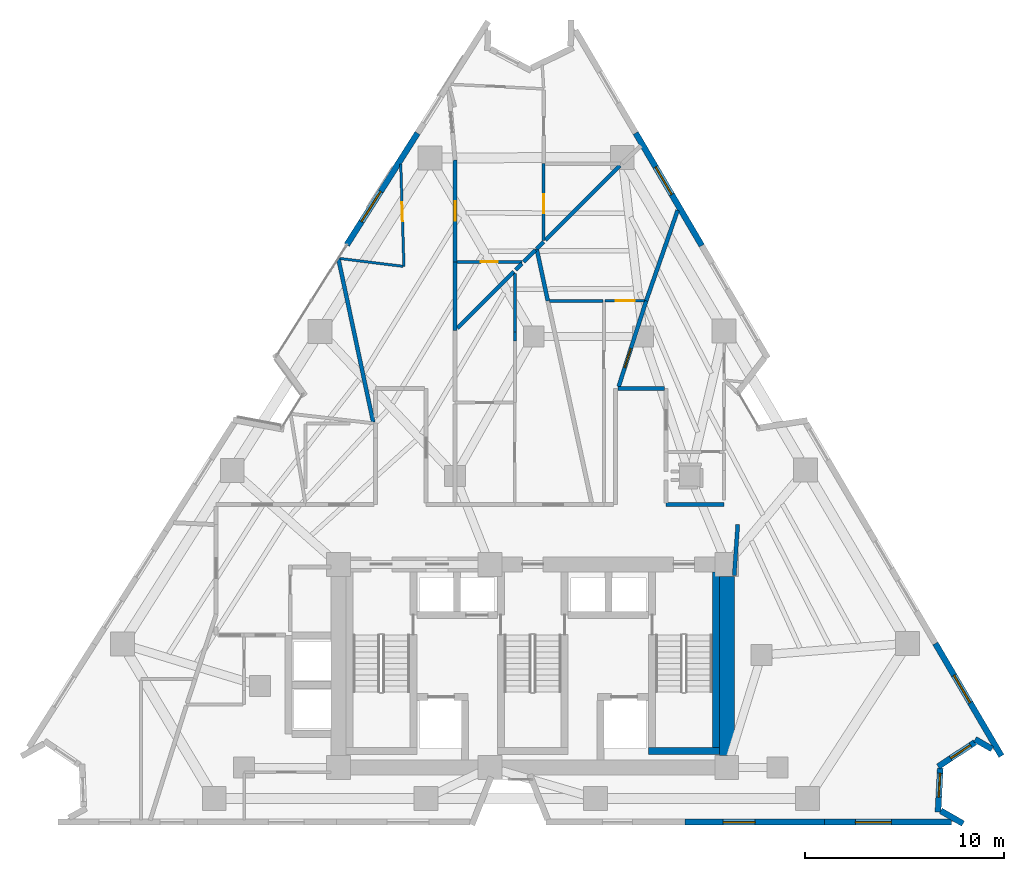
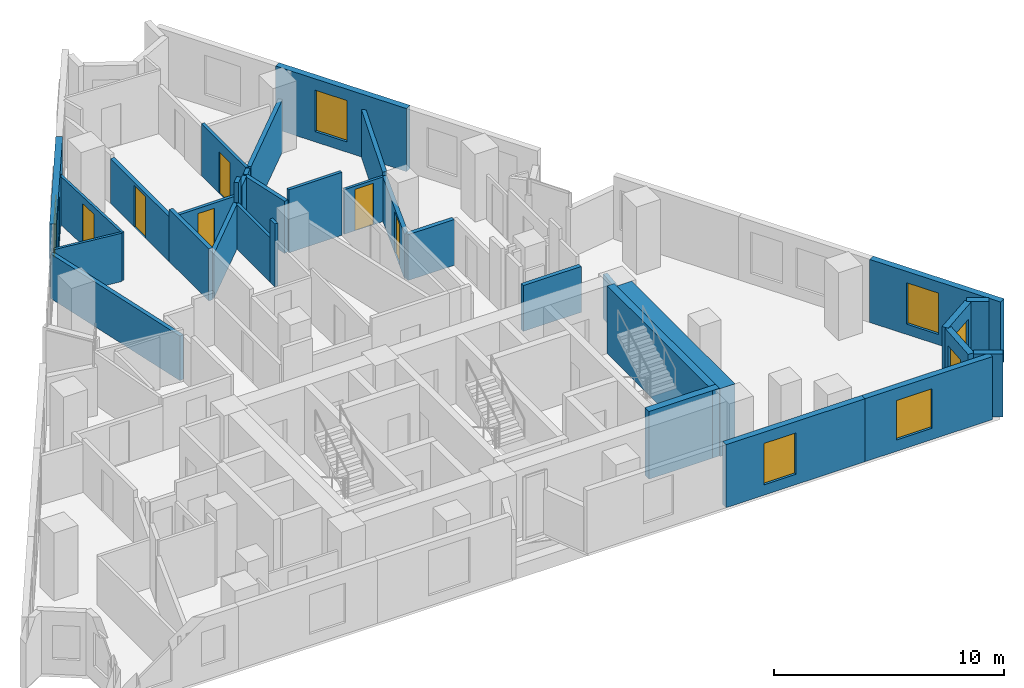
# One storey, part 8 of 12: 34 walls, 7 windows, 6 doors, 13 openings.
"""IFC4 building model written with IfcOpenShell, lengths in metres."""

from ifc_helpers import new_model, si_unit, direction, frame, frame_2d, origin, place, context, subcontext, project, spatial, rectangle, extrude, material, layer, layer_set, type_object, element, fill, save


model = new_model("IFC4")

# Units and contexts
model_context = context("Model", 3, precision=1e-05, world=origin(), true_north=direction((0.0, 1.0)))
body_context = subcontext(model_context, "Body", "Model", "MODEL_VIEW")
ifc_project = project(units=[si_unit("LENGTHUNIT", "METRE"), si_unit("AREAUNIT", "SQUARE_METRE"), si_unit("VOLUMEUNIT", "CUBIC_METRE"), si_unit("PLANEANGLEUNIT", "RADIAN"), si_unit("MASSUNIT", "GRAM", prefix="KILO")], contexts=[model_context])

# Site, building, storey
site_placement = place(None, origin())
site = spatial("IfcSite", under=ifc_project, at=site_placement, CompositionType="ELEMENT")
building_placement = place(site_placement, origin())
building = spatial("IfcBuilding", under=site, at=building_placement, Name="Almagre Mirador Tower", CompositionType="ELEMENT")
storey_placement = place(building_placement, frame((0.0, 0.0, 117.60009765625)))
storey = spatial("IfcBuildingStorey", under=building, at=storey_placement, Name="L29", CompositionType="ELEMENT", Elevation=117.60009765625)

# Wall, opening, window
ifc_material_1 = material(Name="Precast concrete C50/60", Category="concrete")
ifc_layer_1 = layer(ifc_material_1, 0.300048828125)
ifc_layer_set_1 = layer_set([ifc_layer_1], Name="Precast concrete C50/60")
wall_type_1 = type_object("IfcWallType", Name="WAL-EXT-300", PredefinedType="SOLIDWALL", material=ifc_layer_set_1)
wall_1_placement = place(storey_placement, frame((27.96435546875, 30.81005859375, 0.0), z_axis=(0.0, 0.0, 1.0), x_axis=(0.534892719091, 0.844919983823, 0.0)))
wall_1 = element("IfcWall", 1, at=wall_1_placement, inside=storey, type_object=wall_type_1, Name="L29 expressed almagre precast frame wall 03", PredefinedType="SOLIDWALL", context=body_context, shape_type="SweptSolid", body=[
    extrude(rectangle(XDim=6.6337890625, YDim=0.300048828125, at=frame_2d((3.31689453125, 0.0))), origin(), (0.0, 0.0, 1.0), 3.349853515625),
])
opening_1_placement = place(wall_1_placement, frame((1.375, 0.0, 0.60009765625)))
opening_1 = element("IfcOpeningElement", 2, at=opening_1_placement, cuts=wall_1, Name="Opening WN-01", PredefinedType="OPENING", context=body_context, shape_type="SweptSolid", body=[
    extrude(rectangle(XDim=1.800048828125, YDim=2.10009765625, at=frame_2d((0.89990234375, 1.050048828125))), frame((0.0, 0.159902, 0.0), z_axis=(0.0, -1.0, 0.0), x_axis=(1.0, 0.0, 0.0)), (0.0, 0.0, 1.0), 0.320049),
])
ifc_material_2 = material(Name="Dark solar-control laminated hurricane glass", Category="glass")
window_type_1 = type_object("IfcWindowType", Name="WIN-1800X2100", PartitioningType="DOUBLE_PANEL_VERTICAL", PredefinedType="WINDOW", material=ifc_material_2)
window_1_placement = place(opening_1_placement, origin())
window_1 = element("IfcWindow", 3, at=window_1_placement, inside=storey, type_object=window_type_1, Name="L29 recessed hurricane window L29-UJ-KT", OverallHeight=2.10009765625, OverallWidth=1.800048828125, PartitioningType="SINGLE_PANEL", PredefinedType="WINDOW", context=body_context, shape_type="SweptSolid", body=[
    extrude(rectangle(XDim=1.800048828125, YDim=2.10009765625, at=frame_2d((0.89990234375, 1.050048828125))), frame((0.0, 0.030029296875, 0.0), z_axis=(0.0, -1.0, 0.0), x_axis=(1.0, 0.0, 0.0)), (0.0, 0.0, 1.0), 0.06005859375),
])
fill(opening_1, window_1)

wall_2_placement = place(storey_placement, frame((42.472412109375, 36.420166015625, 0.0), z_axis=(0.0, 0.0, 1.0), x_axis=(0.506315009763, -0.86234860172, 0.0)))
wall_2 = element("IfcWall", 4, at=wall_2_placement, inside=storey, type_object=wall_type_1, Name="L29 expressed almagre precast frame wall 10", PredefinedType="SOLIDWALL", context=body_context, shape_type="SweptSolid", body=[
    extrude(rectangle(XDim=6.553466796875, YDim=0.300048828125, at=frame_2d((3.27685546875, 0.0))), origin(), (0.0, 0.0, 1.0), 3.349853515625),
])
opening_2_placement = place(wall_2_placement, frame((1.97509765625, 0.0, 0.550048828125)))
opening_2 = element("IfcOpeningElement", 5, at=opening_2_placement, cuts=wall_2, Name="Opening WN-06", PredefinedType="OPENING", context=body_context, shape_type="SweptSolid", body=[
    extrude(rectangle(XDim=1.60009765625, YDim=2.199951171875, at=frame_2d((0.800048828125, 1.10009765625))), frame((0.0, 0.159902, 0.0), z_axis=(0.0, -1.0, 0.0), x_axis=(1.0, 0.0, 0.0)), (0.0, 0.0, 1.0), 0.320049),
])
ifc_material_3 = material(Name="Dark solar-control laminated hurricane glass", Category="glass")
window_type_2 = type_object("IfcWindowType", Name="WIN-1600X2200", PartitioningType="DOUBLE_PANEL_VERTICAL", PredefinedType="WINDOW", material=ifc_material_3)
window_2_placement = place(opening_2_placement, origin())
window_2 = element("IfcWindow", 6, at=window_2_placement, inside=storey, type_object=window_type_2, Name="L29 recessed hurricane window L29-UK-KT", OverallHeight=2.199951171875, OverallWidth=1.60009765625, PartitioningType="SINGLE_PANEL", PredefinedType="WINDOW", context=body_context, shape_type="SweptSolid", body=[
    extrude(rectangle(XDim=1.60009765625, YDim=2.199951171875, at=frame_2d((0.800048828125, 1.10009765625))), frame((0.0, 0.030029296875, 0.0), z_axis=(0.0, -1.0, 0.0), x_axis=(1.0, 0.0, 0.0)), (0.0, 0.0, 1.0), 0.06005859375),
])
fill(opening_2, window_2)

wall_3_placement = place(storey_placement, frame((57.527587890625, 10.77978515625, 0.0), z_axis=(0.0, 0.0, 1.0), x_axis=(0.506342712509, -0.862332335871, 0.0)))
wall_3 = element("IfcWall", 7, at=wall_3_placement, inside=storey, type_object=wall_type_1, Name="L29 expressed almagre precast frame wall 16", PredefinedType="SOLIDWALL", context=body_context, shape_type="SweptSolid", body=[
    extrude(rectangle(XDim=6.553466796875, YDim=0.300048828125, at=frame_2d((3.27685546875, 0.0))), origin(), (0.0, 0.0, 1.0), 3.349853515625),
])
opening_3_placement = place(wall_3_placement, frame((1.85009765625, 0.0, 0.550048828125)))
opening_3 = element("IfcOpeningElement", 8, at=opening_3_placement, cuts=wall_3, Name="Opening WN-06", PredefinedType="OPENING", context=body_context, shape_type="SweptSolid", body=[
    extrude(rectangle(XDim=1.60009765625, YDim=2.199951171875, at=frame_2d((0.800048828125, 1.10009765625))), frame((0.0, 0.159902, 0.0), z_axis=(0.0, -1.0, 0.0), x_axis=(1.0, 0.0, 0.0)), (0.0, 0.0, 1.0), 0.320049),
])
window_3_placement = place(opening_3_placement, origin())
window_3 = element("IfcWindow", 9, at=window_3_placement, inside=storey, type_object=window_type_2, Name="L29 recessed hurricane window L29-UC-MB", OverallHeight=2.199951171875, OverallWidth=1.60009765625, PartitioningType="SINGLE_PANEL", PredefinedType="WINDOW", context=body_context, shape_type="SweptSolid", body=[
    extrude(rectangle(XDim=1.60009765625, YDim=2.199951171875, at=frame_2d((0.800048828125, 1.10009765625))), frame((0.0, 0.030029296875, 0.0), z_axis=(0.0, -1.0, 0.0), x_axis=(1.0, 0.0, 0.0)), (0.0, 0.0, 1.0), 0.06005859375),
])
fill(opening_3, window_3)

# Wall
wall_4_placement = place(storey_placement, frame((60.37158203125, 5.47998046875, 0.0), z_axis=(0.0, 0.0, 1.0), x_axis=(-0.867706517509, 0.497076854694, 0.0)))
element("IfcWall", 10, at=wall_4_placement, inside=storey, type_object=wall_type_1, Name="L29 expressed almagre precast frame wall 17", PredefinedType="SOLIDWALL", context=body_context, shape_type="SweptSolid", body=[
    extrude(rectangle(XDim=0.980712890625, YDim=0.300048828125, at=frame_2d((0.490234375, 0.0))), origin(), (0.0, 0.0, 1.0), 3.349853515625),
])

# Wall, opening, window
wall_5_placement = place(storey_placement, frame((59.52099609375, 5.818115234375, 0.0), z_axis=(0.0, 0.0, 1.0), x_axis=(-0.834712479674, -0.550686005158, 0.0)))
wall_5 = element("IfcWall", 11, at=wall_5_placement, inside=storey, type_object=wall_type_1, Name="L29 expressed almagre precast frame wall 18", PredefinedType="SOLIDWALL", context=body_context, shape_type="SweptSolid", body=[
    extrude(rectangle(XDim=2.22119140625, YDim=0.300048828125, at=frame_2d((1.110595703125, 0.0))), origin(), (0.0, 0.0, 1.0), 3.349853515625),
])
opening_4_placement = place(wall_5_placement, frame((0.264892578125, 0.0, 0.800048828125)))
opening_4 = element("IfcOpeningElement", 12, at=opening_4_placement, cuts=wall_5, Name="Opening WN-04", PredefinedType="OPENING", context=body_context, shape_type="SweptSolid", body=[
    extrude(rectangle(XDim=1.199951171875, YDim=1.800048828125, at=frame_2d((0.60009765625, 0.89990234375))), frame((0.0, 0.159902, 0.0), z_axis=(0.0, -1.0, 0.0), x_axis=(1.0, 0.0, 0.0)), (0.0, 0.0, 1.0), 0.320049),
])
ifc_material_4 = material(Name="Dark solar-control laminated hurricane glass", Category="glass")
window_type_3 = type_object("IfcWindowType", Name="WIN-1200X1800", PartitioningType="SINGLE_PANEL", PredefinedType="WINDOW", material=ifc_material_4)
window_4_placement = place(opening_4_placement, origin())
window_4 = element("IfcWindow", 13, at=window_4_placement, inside=storey, type_object=window_type_3, Name="L29 recessed hurricane window L29-UC-MB", OverallHeight=1.800048828125, OverallWidth=1.199951171875, PartitioningType="SINGLE_PANEL", PredefinedType="WINDOW", context=body_context, shape_type="SweptSolid", body=[
    extrude(rectangle(XDim=1.199951171875, YDim=1.800048828125, at=frame_2d((0.60009765625, 0.89990234375))), frame((0.0, 0.030029296875, 0.0), z_axis=(0.0, -1.0, 0.0), x_axis=(1.0, 0.0, 0.0)), (0.0, 0.0, 1.0), 0.06005859375),
])
fill(opening_4, window_4)

wall_6_placement = place(storey_placement, frame((57.77587890625, 4.51708984375, 0.0), z_axis=(0.0, 0.0, 1.0), x_axis=(-0.052535661709, -0.998619048611, 0.0)))
wall_6 = element("IfcWall", 14, at=wall_6_placement, inside=storey, type_object=wall_type_1, Name="L29 expressed almagre precast frame wall 19", PredefinedType="SOLIDWALL", context=body_context, shape_type="SweptSolid", body=[
    extrude(rectangle(XDim=2.212158203125, YDim=0.300048828125, at=frame_2d((1.10595703125, 0.0))), origin(), (0.0, 0.0, 1.0), 3.349853515625),
])
opening_5_placement = place(wall_6_placement, frame((0.2548828125, 0.0, 0.800048828125)))
opening_5 = element("IfcOpeningElement", 15, at=opening_5_placement, cuts=wall_6, Name="Opening WN-04", PredefinedType="OPENING", context=body_context, shape_type="SweptSolid", body=[
    extrude(rectangle(XDim=1.199951171875, YDim=1.800048828125, at=frame_2d((0.60009765625, 0.89990234375))), frame((0.0, 0.159902, 0.0), z_axis=(0.0, -1.0, 0.0), x_axis=(1.0, 0.0, 0.0)), (0.0, 0.0, 1.0), 0.320049),
])
window_5_placement = place(opening_5_placement, origin())
window_5 = element("IfcWindow", 16, at=window_5_placement, inside=storey, type_object=window_type_3, Name="L29 recessed hurricane window L29-UC-MB", OverallHeight=1.800048828125, OverallWidth=1.199951171875, PartitioningType="SINGLE_PANEL", PredefinedType="WINDOW", context=body_context, shape_type="SweptSolid", body=[
    extrude(rectangle(XDim=1.199951171875, YDim=1.800048828125, at=frame_2d((0.60009765625, 0.89990234375))), frame((0.0, 0.030029296875, 0.0), z_axis=(0.0, -1.0, 0.0), x_axis=(1.0, 0.0, 0.0)), (0.0, 0.0, 1.0), 0.06005859375),
])
fill(opening_5, window_5)

# Wall
wall_7_placement = place(storey_placement, frame((57.797119140625, 2.37353515625, 0.0), z_axis=(0.0, 0.0, 1.0), x_axis=(0.868034267217, -0.496504290955, 0.0)))
element("IfcWall", 17, at=wall_7_placement, inside=storey, type_object=wall_type_1, Name="L29 expressed almagre precast frame wall 20", PredefinedType="SOLIDWALL", context=body_context, shape_type="SweptSolid", body=[
    extrude(rectangle(XDim=1.295166015625, YDim=0.300048828125, at=frame_2d((0.6474609375, 0.0))), origin(), (0.0, 0.0, 1.0), 3.349853515625),
])

# Wall, opening, window
wall_8_placement = place(storey_placement, frame((58.35009765625, 1.800048828125, 0.0), z_axis=(0.0, 0.0, 1.0), x_axis=(-1.0, 0.0, 0.0)))
wall_8 = element("IfcWall", 18, at=wall_8_placement, inside=storey, type_object=wall_type_1, Name="L29 expressed almagre precast frame wall 21", PredefinedType="SOLIDWALL", context=body_context, shape_type="SweptSolid", body=[
    extrude(rectangle(XDim=6.4033203125, YDim=0.300048828125, at=frame_2d((3.20166015625, 0.0))), origin(), (0.0, 0.0, 1.0), 3.349853515625),
])
opening_6_placement = place(wall_8_placement, frame((3.034912109375, 0.0, 0.60009765625)))
opening_6 = element("IfcOpeningElement", 19, at=opening_6_placement, cuts=wall_8, Name="Opening WN-01", PredefinedType="OPENING", context=body_context, shape_type="SweptSolid", body=[
    extrude(rectangle(XDim=1.800048828125, YDim=2.10009765625, at=frame_2d((0.89990234375, 1.050048828125))), frame((0.0, 0.159902, 0.0), z_axis=(0.0, -1.0, 0.0), x_axis=(1.0, 0.0, 0.0)), (0.0, 0.0, 1.0), 0.320049),
])
window_6_placement = place(opening_6_placement, origin())
window_6 = element("IfcWindow", 20, at=window_6_placement, inside=storey, type_object=window_type_1, Name="L29 recessed hurricane window L29-UC-KT", OverallHeight=2.10009765625, OverallWidth=1.800048828125, PartitioningType="SINGLE_PANEL", PredefinedType="WINDOW", context=body_context, shape_type="SweptSolid", body=[
    extrude(rectangle(XDim=1.800048828125, YDim=2.10009765625, at=frame_2d((0.89990234375, 1.050048828125))), frame((0.0, 0.030029296875, 0.0), z_axis=(0.0, -1.0, 0.0), x_axis=(1.0, 0.0, 0.0)), (0.0, 0.0, 1.0), 0.06005859375),
])
fill(opening_6, window_6)

wall_9_placement = place(storey_placement, frame((51.94677734375, 1.800048828125, 0.0), z_axis=(0.0, 0.0, 1.0), x_axis=(-1.0, 0.0, 0.0)))
wall_9 = element("IfcWall", 21, at=wall_9_placement, inside=storey, type_object=wall_type_1, Name="L29 expressed almagre precast frame wall 22", PredefinedType="SOLIDWALL", context=body_context, shape_type="SweptSolid", body=[
    extrude(rectangle(XDim=6.993408203125, YDim=0.300048828125, at=frame_2d((3.49658203125, 0.0))), origin(), (0.0, 0.0, 1.0), 3.349853515625),
])
opening_7_placement = place(wall_9_placement, frame((3.47509765625, 0.0, 0.550048828125)))
opening_7 = element("IfcOpeningElement", 22, at=opening_7_placement, cuts=wall_9, Name="Opening WN-06", PredefinedType="OPENING", context=body_context, shape_type="SweptSolid", body=[
    extrude(rectangle(XDim=1.60009765625, YDim=2.199951171875, at=frame_2d((0.800048828125, 1.10009765625))), frame((0.0, 0.159902, 0.0), z_axis=(0.0, -1.0, 0.0), x_axis=(1.0, 0.0, 0.0)), (0.0, 0.0, 1.0), 0.320049),
])
window_7_placement = place(opening_7_placement, origin())
window_7 = element("IfcWindow", 23, at=window_7_placement, inside=storey, type_object=window_type_2, Name="L29 recessed hurricane window L29-RST-B", OverallHeight=2.199951171875, OverallWidth=1.60009765625, PartitioningType="SINGLE_PANEL", PredefinedType="WINDOW", context=body_context, shape_type="SweptSolid", body=[
    extrude(rectangle(XDim=1.60009765625, YDim=2.199951171875, at=frame_2d((0.800048828125, 1.10009765625))), frame((0.0, 0.030029296875, 0.0), z_axis=(0.0, -1.0, 0.0), x_axis=(1.0, 0.0, 0.0)), (0.0, 0.0, 1.0), 0.06005859375),
])
fill(opening_7, window_7)

# Wall, opening, door
ifc_material_5 = material(Name="Gypsum acoustic stud partition", Category="other")
ifc_layer_2 = layer(ifc_material_5, 0.125)
ifc_layer_set_2 = layer_set([ifc_layer_2], Name="Gypsum acoustic stud partition")
wall_type_2 = type_object("IfcWallType", Name="WAL-PRT-125-UTL", PredefinedType="PARTITIONING", material=ifc_layer_set_2)
wall_10_placement = place(storey_placement, frame((30.6708984375, 34.864990234375, 0.0), z_axis=(0.0, 0.0, 1.0), x_axis=(0.030923800782, -0.999521744909, 0.0)))
wall_10 = element("IfcWall", 24, at=wall_10_placement, inside=storey, type_object=wall_type_2, Name="L29 interior partition 076", PredefinedType="PARTITIONING", context=body_context, shape_type="SweptSolid", body=[
    extrude(rectangle(XDim=5.1474609375, YDim=0.125, at=frame_2d((2.57373046875, 0.0))), origin(), (0.0, 0.0, 1.0), 2.56982421875),
])
opening_8_placement = place(wall_10_placement, frame((1.92431640625, 0.0, 0.0)))
opening_8 = element("IfcOpeningElement", 25, at=opening_8_placement, cuts=wall_10, Name="Opening UD-01", PredefinedType="OPENING", context=body_context, shape_type="SweptSolid", body=[
    extrude(rectangle(XDim=0.949951171875, YDim=2.199951171875, at=frame_2d((0.47509765625, 1.10009765625))), frame((0.0, 0.0725, 0.0), z_axis=(0.0, -1.0, 0.0), x_axis=(1.0, 0.0, 0.0)), (0.0, 0.0, 1.0), 0.145),
])
ifc_material_6 = material(Name="Solid American walnut timber", Category="wood")
door_type_1 = type_object("IfcDoorType", Name="DOR-UNR-950X2200", OperationType="NOTDEFINED", PredefinedType="DOOR", material=ifc_material_6)
door_1_placement = place(opening_8_placement, origin())
door_1 = element("IfcDoor", 26, at=door_1_placement, inside=storey, type_object=door_type_1, Name="DR-0962 L29 interior door L29-UJ-LV to L29-UJ-KT", OperationType="SINGLE_SWING_RIGHT", OverallHeight=2.199951171875, OverallWidth=0.949951171875, PredefinedType="DOOR", context=body_context, shape_type="SweptSolid", body=[
    extrude(rectangle(XDim=0.949951171875, YDim=2.199951171875, at=frame_2d((0.47509765625, 1.10009765625))), frame((0.0, 0.02490234375, 0.0), z_axis=(0.0, -1.0, 0.0), x_axis=(1.0, 0.0, 0.0)), (0.0, 0.0, 1.0), 0.050048828125),
])
fill(opening_8, door_1)

# Wall
wall_11_placement = place(storey_placement, frame((27.617431640625, 30.118408203125, 0.0), z_axis=(0.0, 0.0, 1.0), x_axis=(0.992397517991, -0.123073824536, 0.0)))
element("IfcWall", 27, at=wall_11_placement, inside=storey, type_object=wall_type_2, Name="L29 interior partition 081", PredefinedType="PARTITIONING", context=body_context, shape_type="SweptSolid", body=[
    extrude(rectangle(XDim=3.189697265625, YDim=0.125, at=frame_2d((1.5947265625, 0.0))), origin(), (0.0, 0.0, 1.0), 2.56982421875),
])

# Wall, opening, door
wall_12_placement = place(storey_placement, frame((42.9150390625, 27.989990234375, 0.0), z_axis=(0.0, 0.0, 1.0), x_axis=(-1.0, 0.0, 0.0)))
wall_12 = element("IfcWall", 28, at=wall_12_placement, inside=storey, type_object=wall_type_2, Name="L29 interior partition 083", PredefinedType="PARTITIONING", context=body_context, shape_type="SweptSolid", body=[
    extrude(rectangle(XDim=1.97509765625, YDim=0.125, at=frame_2d((0.987548828125, 0.0))), origin(), (0.0, 0.0, 1.0), 2.371826171875),
])
opening_9_placement = place(wall_12_placement, frame((0.5, 0.0, 0.0)))
opening_9 = element("IfcOpeningElement", 29, at=opening_9_placement, cuts=wall_12, Name="Opening UD-01", PredefinedType="OPENING", context=body_context, shape_type="SweptSolid", body=[
    extrude(rectangle(XDim=0.949951171875, YDim=2.199951171875, at=frame_2d((0.47509765625, 1.10009765625))), frame((0.0, 0.0725, 0.0), z_axis=(0.0, -1.0, 0.0), x_axis=(1.0, 0.0, 0.0)), (0.0, 0.0, 1.0), 0.145),
])
door_2_placement = place(opening_9_placement, origin())
door_2 = element("IfcDoor", 30, at=door_2_placement, inside=storey, type_object=door_type_1, Name="DR-0963 L29 interior door L29-UK-ST to L29-UK-KT", OperationType="SINGLE_SWING_RIGHT", OverallHeight=2.199951171875, OverallWidth=0.949951171875, PredefinedType="DOOR", context=body_context, shape_type="SweptSolid", body=[
    extrude(rectangle(XDim=0.949951171875, YDim=2.199951171875, at=frame_2d((0.47509765625, 1.10009765625))), frame((0.0, 0.02490234375, 0.0), z_axis=(0.0, -1.0, 0.0), x_axis=(1.0, 0.0, 0.0)), (0.0, 0.0, 1.0), 0.050048828125),
])
fill(opening_9, door_2)

# Walls
ifc_material_7 = material(Name="Gypsum acoustic stud partition", Category="other")
ifc_layer_3 = layer(ifc_material_7, 0.14990234375)
ifc_layer_set_3 = layer_set([ifc_layer_3], Name="Gypsum acoustic stud partition")
wall_type_3 = type_object("IfcWallType", Name="WAL-PRT-150-STD", PredefinedType="PARTITIONING", material=ifc_layer_set_3)
wall_13_placement = place(storey_placement, frame((36.39990234375, 29.364990234375, 0.0), z_axis=(0.0, 0.0, 1.0), x_axis=(0.0, -1.0, 0.0)))
element("IfcWall", 31, at=wall_13_placement, inside=storey, type_object=wall_type_3, Name="L29 interior partition 058", PredefinedType="PARTITIONING", context=body_context, shape_type="SweptSolid", body=[
    extrude(rectangle(XDim=2.945068359375, YDim=0.14990234375, at=frame_2d((1.47265625, 0.0))), origin(), (0.0, 0.0, 1.0), 2.371826171875),
])
wall_14_placement = place(storey_placement, frame((40.820068359375, 27.989990234375, 0.0), z_axis=(0.0, 0.0, 1.0), x_axis=(-1.0, 0.0, 0.0)))
element("IfcWall", 32, at=wall_14_placement, inside=storey, type_object=wall_type_3, Name="L29 interior partition 084", PredefinedType="PARTITIONING", context=body_context, shape_type="SweptSolid", body=[
    extrude(rectangle(XDim=2.675048828125, YDim=0.14990234375, at=frame_2d((1.33740234375, 0.0))), origin(), (0.0, 0.0, 1.0), 3.349853515625),
])

# Wall, opening, door
wall_15_placement = place(storey_placement, frame((33.485107421875, 29.949951171875, 0.0), z_axis=(0.0, 0.0, 1.0), x_axis=(1.0, 0.0, 0.0)))
wall_15 = element("IfcWall", 33, at=wall_15_placement, inside=storey, type_object=wall_type_3, Name="L29 interior partition 088", PredefinedType="PARTITIONING", context=body_context, shape_type="SweptSolid", body=[
    extrude(rectangle(XDim=3.27978515625, YDim=0.14990234375, at=frame_2d((1.639892578125, 0.0))), origin(), (0.0, 0.0, 1.0), 2.371826171875),
])
opening_10_placement = place(wall_15_placement, frame((1.215087890625, 0.0, 0.0)))
opening_10 = element("IfcOpeningElement", 34, at=opening_10_placement, cuts=wall_15, Name="Opening UD-04", PredefinedType="OPENING", context=body_context, shape_type="SweptSolid", body=[
    extrude(rectangle(XDim=0.85009765625, YDim=2.10009765625, at=frame_2d((0.425048828125, 1.050048828125))), frame((0.0, 0.084951, 0.0), z_axis=(0.0, -1.0, 0.0), x_axis=(1.0, 0.0, 0.0)), (0.0, 0.0, 1.0), 0.169902),
])
ifc_material_8 = material(Name="Moisture-resistant oak timber", Category="wood")
door_type_2 = type_object("IfcDoorType", Name="DOR-UNR-850X2100", OperationType="NOTDEFINED", PredefinedType="DOOR", material=ifc_material_8)
door_3_placement = place(opening_10_placement, origin())
door_3 = element("IfcDoor", 35, at=door_3_placement, inside=storey, type_object=door_type_2, Name="DR-0967 L29 interior door L29-UL-LV to L29-UL-HB", OperationType="SINGLE_SWING_RIGHT", OverallHeight=2.10009765625, OverallWidth=0.85009765625, PredefinedType="DOOR", context=body_context, shape_type="SweptSolid", body=[
    extrude(rectangle(XDim=0.85009765625, YDim=2.10009765625, at=frame_2d((0.425048828125, 1.050048828125))), frame((0.0, 0.02490234375, 0.0), z_axis=(0.0, -1.0, 0.0), x_axis=(1.0, 0.0, 0.0)), (0.0, 0.0, 1.0), 0.050048828125),
])
fill(opening_10, door_3)

wall_16_placement = place(storey_placement, frame((37.85009765625, 31.034912109375, 0.0), z_axis=(0.0, 0.0, 1.0), x_axis=(0.0, 1.0, 0.0)))
wall_16 = element("IfcWall", 36, at=wall_16_placement, inside=storey, type_object=wall_type_3, Name="L29 interior partition 091", PredefinedType="PARTITIONING", context=body_context, shape_type="SweptSolid", body=[
    extrude(rectangle(XDim=3.85498046875, YDim=0.14990234375, at=frame_2d((1.927490234375, 0.0))), origin(), (0.0, 0.0, 1.0), 2.77099609375),
])
opening_11_placement = place(wall_16_placement, frame((1.35107421875, 0.0, 0.0)))
opening_11 = element("IfcOpeningElement", 37, at=opening_11_placement, cuts=wall_16, Name="Opening UD-01", PredefinedType="OPENING", context=body_context, shape_type="SweptSolid", body=[
    extrude(rectangle(XDim=0.949951171875, YDim=2.199951171875, at=frame_2d((0.47509765625, 1.10009765625))), frame((0.0, 0.084951, 0.0), z_axis=(0.0, -1.0, 0.0), x_axis=(1.0, 0.0, 0.0)), (0.0, 0.0, 1.0), 0.169902),
])
door_4_placement = place(opening_11_placement, origin())
door_4 = element("IfcDoor", 38, at=door_4_placement, inside=storey, type_object=door_type_1, Name="DR-0966 L29 interior door L29-UL-LV to L29-UL-ST2", OperationType="SINGLE_SWING_LEFT", OverallHeight=2.199951171875, OverallWidth=0.949951171875, PredefinedType="DOOR", context=body_context, shape_type="SweptSolid", body=[
    extrude(rectangle(XDim=0.949951171875, YDim=2.199951171875, at=frame_2d((0.47509765625, 1.10009765625))), frame((0.0, 0.02490234375, 0.0), z_axis=(0.0, -1.0, 0.0), x_axis=(1.0, 0.0, 0.0)), (0.0, 0.0, 1.0), 0.050048828125),
])
fill(opening_11, door_4)

# Walls
wall_17_placement = place(storey_placement, frame((36.39990234375, 25.97998046875, 0.0), z_axis=(0.0, 0.0, 1.0), x_axis=(0.0, 1.0, 0.0)))
element("IfcWall", 39, at=wall_17_placement, inside=storey, type_object=wall_type_3, Name="L29 interior partition 099", PredefinedType="PARTITIONING", context=body_context, shape_type="SweptSolid", body=[
    extrude(rectangle(XDim=0.43994140625, YDim=0.14990234375, at=frame_2d((0.219970703125, 0.0))), origin(), (0.0, 0.0, 1.0), 3.349853515625),
])
ifc_material_9 = material(Name="Gypsum acoustic stud partition", Category="other")
ifc_layer_4 = layer(ifc_material_9, 0.199951171875)
ifc_layer_set_4 = layer_set([ifc_layer_4], Name="Gypsum acoustic stud partition")
wall_type_4 = type_object("IfcWallType", Name="WAL-PRT-200-EI60", PredefinedType="PARTITIONING", material=ifc_layer_set_4)
wall_18_placement = place(storey_placement, frame((47.425048828125, 14.199951171875, 0.0), z_axis=(0.0, 0.0, 1.0), x_axis=(0.068484119878, 0.997652206595, 0.0)))
element("IfcWall", 40, at=wall_18_placement, inside=storey, type_object=wall_type_4, Name="L29 interior partition 004", PredefinedType="PARTITIONING", context=body_context, shape_type="SweptSolid", body=[
    extrude(rectangle(XDim=2.55615234375, YDim=0.199951171875, at=frame_2d((1.278076171875, 0.0))), origin(), (0.0, 0.0, 1.0), 2.371826171875),
])
wall_19_placement = place(storey_placement, frame((43.9150390625, 23.60009765625, 0.0), z_axis=(0.0, 0.0, 1.0), x_axis=(-1.0, 0.0, 0.0)))
element("IfcWall", 41, at=wall_19_placement, inside=storey, type_object=wall_type_4, Name="L29 interior partition 013", PredefinedType="PARTITIONING", context=body_context, shape_type="SweptSolid", body=[
    extrude(rectangle(XDim=2.324951171875, YDim=0.199951171875, at=frame_2d((1.16259765625, 0.0))), origin(), (0.0, 0.0, 1.0), 2.435791015625),
])
wall_20_placement = place(storey_placement, frame((46.919921875, 17.75, 0.0), z_axis=(0.0, 0.0, 1.0), x_axis=(-1.0, 0.0, 0.0)))
element("IfcWall", 42, at=wall_20_placement, inside=storey, type_object=wall_type_4, Name="L29 interior partition 014", PredefinedType="PARTITIONING", context=body_context, shape_type="SweptSolid", body=[
    extrude(rectangle(XDim=2.919921875, YDim=0.199951171875, at=frame_2d((1.4599609375, 0.0))), origin(), (0.0, 0.0, 1.0), 2.435791015625),
])
wall_21_placement = place(storey_placement, frame((29.28759765625, 21.898681640625, 0.0), z_axis=(0.0, 0.0, 1.0), x_axis=(-0.208508604507, 0.978020532426, 0.0)))
element("IfcWall", 43, at=wall_21_placement, inside=storey, type_object=wall_type_4, Name="L29 interior partition 056", PredefinedType="PARTITIONING", context=body_context, shape_type="SweptSolid", body=[
    extrude(rectangle(XDim=8.415283203125, YDim=0.199951171875, at=frame_2d((4.20751953125, 0.0))), origin(), (0.0, 0.0, 1.0), 2.371826171875),
])
wall_22_placement = place(storey_placement, frame((38.06005859375, 27.989990234375, 0.0), z_axis=(0.0, 0.0, 1.0), x_axis=(-0.209797646084, 0.977744827497, 0.0)))
element("IfcWall", 44, at=wall_22_placement, inside=storey, type_object=wall_type_4, Name="L29 interior partition 061", PredefinedType="PARTITIONING", context=body_context, shape_type="SweptSolid", body=[
    extrude(rectangle(XDim=2.66943359375, YDim=0.199951171875, at=frame_2d((1.334716796875, 0.0))), origin(), (0.0, 0.0, 1.0), 2.77099609375),
])
wall_23_placement = place(storey_placement, frame((37.43994140625, 30.539794921875, 0.0), z_axis=(0.0, 0.0, 1.0), x_axis=(-0.707106781187, -0.707106781187, 0.0)))
element("IfcWall", 45, at=wall_23_placement, inside=storey, type_object=wall_type_4, Name="L29 interior partition 062", PredefinedType="PARTITIONING", context=body_context, shape_type="SweptSolid", body=[
    extrude(rectangle(XDim=0.834228515625, YDim=0.199951171875, at=frame_2d((0.4169921875, 0.0))), origin(), (0.0, 0.0, 1.0), 2.77099609375),
])
wall_24_placement = place(storey_placement, frame((36.758056640625, 29.858154296875, 0.0), z_axis=(0.0, 0.0, 1.0), x_axis=(-0.707106781187, -0.707106781187, 0.0)))
element("IfcWall", 46, at=wall_24_placement, inside=storey, type_object=wall_type_4, Name="L29 interior partition 063", PredefinedType="PARTITIONING", context=body_context, shape_type="SweptSolid", body=[
    extrude(rectangle(XDim=0.446533203125, YDim=0.199951171875, at=frame_2d((0.22314453125, 0.0))), origin(), (0.0, 0.0, 1.0), 3.349853515625),
])
wall_25_placement = place(storey_placement, frame((36.357666015625, 29.45751953125, 0.0), z_axis=(0.0, 0.0, 1.0), x_axis=(-0.707137163672, -0.707076397395, 0.0)))
element("IfcWall", 47, at=wall_25_placement, inside=storey, type_object=wall_type_4, Name="L29 interior partition 066", PredefinedType="PARTITIONING", context=body_context, shape_type="SweptSolid", body=[
    extrude(rectangle(XDim=4.017578125, YDim=0.199951171875, at=frame_2d((2.0087890625, 0.0))), origin(), (0.0, 0.0, 1.0), 2.371826171875),
])

# Wall, opening, door
wall_26_placement = place(storey_placement, frame((43.0, 27.989990234375, 0.0), z_axis=(0.0, 0.0, 1.0), x_axis=(-0.305803129518, -0.95209476733, 0.0)))
wall_26 = element("IfcWall", 48, at=wall_26_placement, inside=storey, type_object=wall_type_4, Name="L29 interior partition 071", PredefinedType="PARTITIONING", context=body_context, shape_type="SweptSolid", body=[
    extrude(rectangle(XDim=4.52587890625, YDim=0.199951171875, at=frame_2d((2.262939453125, 0.0))), origin(), (0.0, 0.0, 1.0), 2.371826171875),
])
opening_12_placement = place(wall_26_placement, frame((2.519287109375, 0.0, 0.0)))
opening_12 = element("IfcOpeningElement", 49, at=opening_12_placement, cuts=wall_26, Name="Opening ID-01", PredefinedType="OPENING", context=body_context, shape_type="SweptSolid", body=[
    extrude(rectangle(XDim=1.0, YDim=2.199951171875, at=frame_2d((0.5, 1.10009765625))), frame((0.0, 0.110098, 0.0), z_axis=(0.0, -1.0, 0.0), x_axis=(1.0, 0.0, 0.0)), (0.0, 0.0, 1.0), 0.219951),
])
ifc_material_10 = material(Name="Fire-rated walnut timber", Category="wood")
door_type_3 = type_object("IfcDoorType", Name="DOR-FD60-1000X2200", OperationType="NOTDEFINED", PredefinedType="DOOR", material=ifc_material_10)
door_5_placement = place(opening_12_placement, origin())
door_5 = element("IfcDoor", 50, at=door_5_placement, inside=storey, type_object=door_type_3, Name="DR-0969 L29 interior door L29-UH-LV to L29-UK-ST", OperationType="SINGLE_SWING_RIGHT", OverallHeight=2.199951171875, OverallWidth=1.0, PredefinedType="DOOR", context=body_context, shape_type="SweptSolid", body=[
    extrude(rectangle(XDim=1.0, YDim=2.199951171875, at=frame_2d((0.5, 1.10009765625))), frame((0.0, 0.02490234375, 0.0), z_axis=(0.0, -1.0, 0.0), x_axis=(1.0, 0.0, 0.0)), (0.0, 0.0, 1.0), 0.050048828125),
])
fill(opening_12, door_5)

# Wall
wall_27_placement = place(storey_placement, frame((44.5810546875, 32.5419921875, 0.0), z_axis=(0.0, 0.0, 1.0), x_axis=(-0.328103998337, -0.944641607318, 0.0)))
element("IfcWall", 51, at=wall_27_placement, inside=storey, type_object=wall_type_4, Name="L29 interior partition 072", PredefinedType="PARTITIONING", context=body_context, shape_type="SweptSolid", body=[
    extrude(rectangle(XDim=4.81884765625, YDim=0.199951171875, at=frame_2d((2.409423828125, 0.0))), origin(), (0.0, 0.0, 1.0), 2.56982421875),
])

# Wall, opening, door
wall_28_placement = place(storey_placement, frame((33.39990234375, 29.949951171875, 0.0), z_axis=(0.0, 0.0, 1.0), x_axis=(0.0, 1.0, 0.0)))
wall_28 = element("IfcWall", 52, at=wall_28_placement, inside=storey, type_object=wall_type_4, Name="L29 interior partition 078", PredefinedType="PARTITIONING", context=body_context, shape_type="SweptSolid", body=[
    extrude(rectangle(XDim=5.110107421875, YDim=0.199951171875, at=frame_2d((2.55517578125, 0.0))), origin(), (0.0, 0.0, 1.0), 2.371826171875),
])
opening_13_placement = place(wall_28_placement, frame((2.054931640625, 0.0, 0.0)))
opening_13 = element("IfcOpeningElement", 53, at=opening_13_placement, cuts=wall_28, Name="Opening ID-01", PredefinedType="OPENING", context=body_context, shape_type="SweptSolid", body=[
    extrude(rectangle(XDim=1.0, YDim=2.199951171875, at=frame_2d((0.5, 1.10009765625))), frame((0.0, 0.110098, 0.0), z_axis=(0.0, -1.0, 0.0), x_axis=(1.0, 0.0, 0.0)), (0.0, 0.0, 1.0), 0.219951),
])
door_6_placement = place(opening_13_placement, origin())
door_6 = element("IfcDoor", 54, at=door_6_placement, inside=storey, type_object=door_type_3, Name="DR-0970 L29 interior door L29-UJ-LV to L29-UL-LV", OperationType="SINGLE_SWING_LEFT", OverallHeight=2.199951171875, OverallWidth=1.0, PredefinedType="DOOR", context=body_context, shape_type="SweptSolid", body=[
    extrude(rectangle(XDim=1.0, YDim=2.199951171875, at=frame_2d((0.5, 1.10009765625))), frame((0.0, 0.02490234375, 0.0), z_axis=(0.0, -1.0, 0.0), x_axis=(1.0, 0.0, 0.0)), (0.0, 0.0, 1.0), 0.050048828125),
])
fill(opening_13, door_6)

# Walls
wall_29_placement = place(storey_placement, frame((33.39990234375, 26.5, 0.0), z_axis=(0.0, 0.0, 1.0), x_axis=(0.0, 1.0, 0.0)))
element("IfcWall", 55, at=wall_29_placement, inside=storey, type_object=wall_type_4, Name="L29 interior partition 079", PredefinedType="PARTITIONING", context=body_context, shape_type="SweptSolid", body=[
    extrude(rectangle(XDim=3.449951171875, YDim=0.199951171875, at=frame_2d((1.72509765625, 0.0))), origin(), (0.0, 0.0, 1.0), 2.77099609375),
])
wall_30_placement = place(storey_placement, frame((37.85009765625, 30.949951171875, 0.0), z_axis=(0.0, 0.0, 1.0), x_axis=(-0.707353374636, -0.706860101711, 0.0)))
element("IfcWall", 56, at=wall_30_placement, inside=storey, type_object=wall_type_4, Name="L29 interior partition 085", PredefinedType="PARTITIONING", context=body_context, shape_type="SweptSolid", body=[
    extrude(rectangle(XDim=0.494873046875, YDim=0.199951171875, at=frame_2d((0.24755859375, 0.0))), origin(), (0.0, 0.0, 1.0), 2.77099609375),
])
wall_31_placement = place(storey_placement, frame((41.683837890625, 34.783935546875, 0.0), z_axis=(0.0, 0.0, 1.0), x_axis=(-0.707106781187, -0.707106781187, 0.0)))
element("IfcWall", 57, at=wall_31_placement, inside=storey, type_object=wall_type_4, Name="L29 interior partition 087", PredefinedType="PARTITIONING", context=body_context, shape_type="SweptSolid", body=[
    extrude(rectangle(XDim=5.2919921875, YDim=0.199951171875, at=frame_2d((2.64599609375, 0.0))), origin(), (0.0, 0.0, 1.0), 2.77099609375),
])
ifc_material_11 = material(Name="Concrete C60/75", Category="concrete")
ifc_layer_5 = layer(ifc_material_11, 0.35009765625)
ifc_layer_set_5 = layer_set([ifc_layer_5], Name="Concrete C60/75")
wall_type_5 = type_object("IfcWallType", Name="WAL-SHF-350", PredefinedType="SOLIDWALL", material=ifc_layer_set_5)
wall_32_placement = place(storey_placement, frame((46.5, 5.199951171875, 0.0), z_axis=(0.0, 0.0, 1.0), x_axis=(0.0, 1.0, 0.0)))
element("IfcWall", 58, at=wall_32_placement, inside=storey, type_object=wall_type_5, Name="L29 shaft wall ST3-E", PredefinedType="SOLIDWALL", context=body_context, shape_type="SweptSolid", body=[
    extrude(rectangle(XDim=9.175048828125, YDim=0.35009765625, at=frame_2d((4.58740234375, 0.0))), origin(), (0.0, 0.0, 1.0), 3.599853515625),
])
wall_33_placement = place(storey_placement, frame((43.125, 5.375, 0.0), z_axis=(0.0, 0.0, 1.0), x_axis=(1.0, 0.0, 0.0)))
element("IfcWall", 59, at=wall_33_placement, inside=storey, type_object=wall_type_5, Name="L29 shaft wall ST3-S", PredefinedType="SOLIDWALL", context=body_context, shape_type="SweptSolid", body=[
    extrude(rectangle(XDim=3.550048828125, YDim=0.35009765625, at=frame_2d((1.77490234375, 0.0))), origin(), (0.0, 0.0, 1.0), 3.599853515625),
])
ifc_material_12 = material(Name="Concrete C60/75", Category="concrete")
ifc_layer_6 = layer(ifc_material_12, 0.75)
ifc_layer_set_6 = layer_set([ifc_layer_6], Name="Concrete C60/75")
wall_type_6 = type_object("IfcWallType", Name="WAL-SHR-750", PredefinedType="SHEAR", material=ifc_layer_set_6)
wall_34_placement = place(storey_placement, frame((47.050048828125, 5.14990234375, 0.0), z_axis=(0.0, 0.0, 1.0), x_axis=(0.0, 1.0, 0.0)))
element("IfcWall", 60, at=wall_34_placement, inside=storey, type_object=wall_type_6, Name="L29 core shear wall E1", PredefinedType="SHEAR", context=body_context, shape_type="SweptSolid", body=[
    extrude(rectangle(XDim=9.0, YDim=0.75, at=frame_2d((4.5, 0.0))), origin(), (0.0, 0.0, 1.0), 3.599853515625),
])

save(model, "model.ifc")
